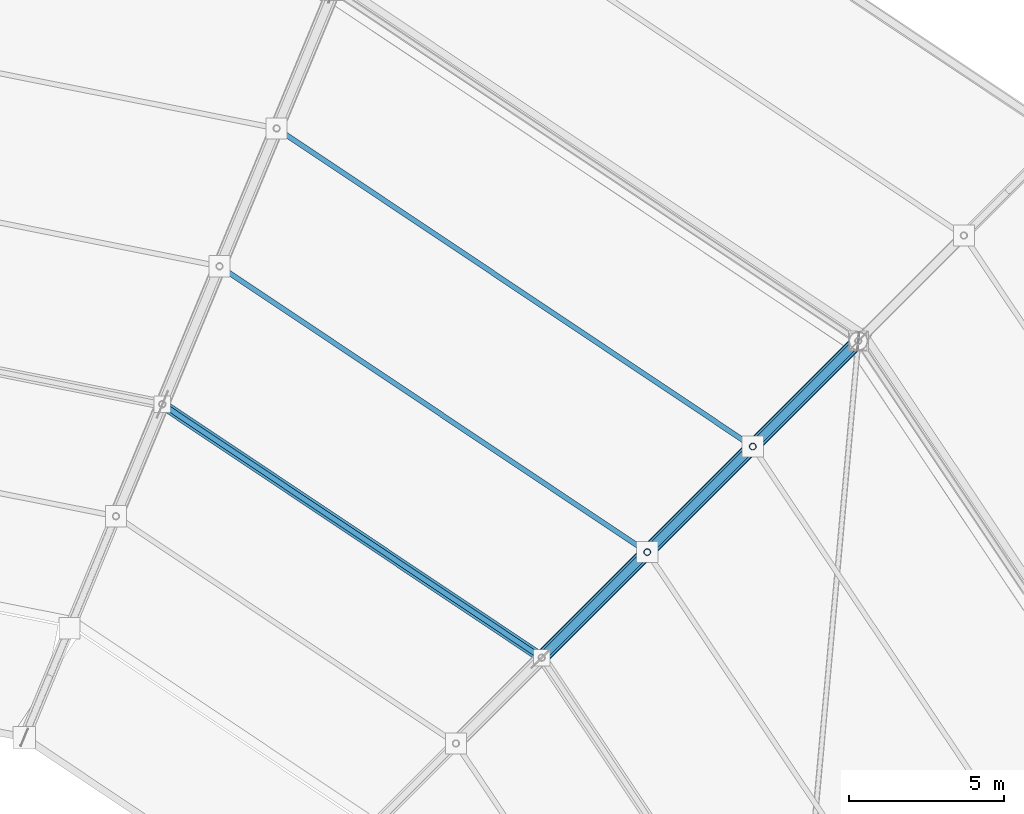
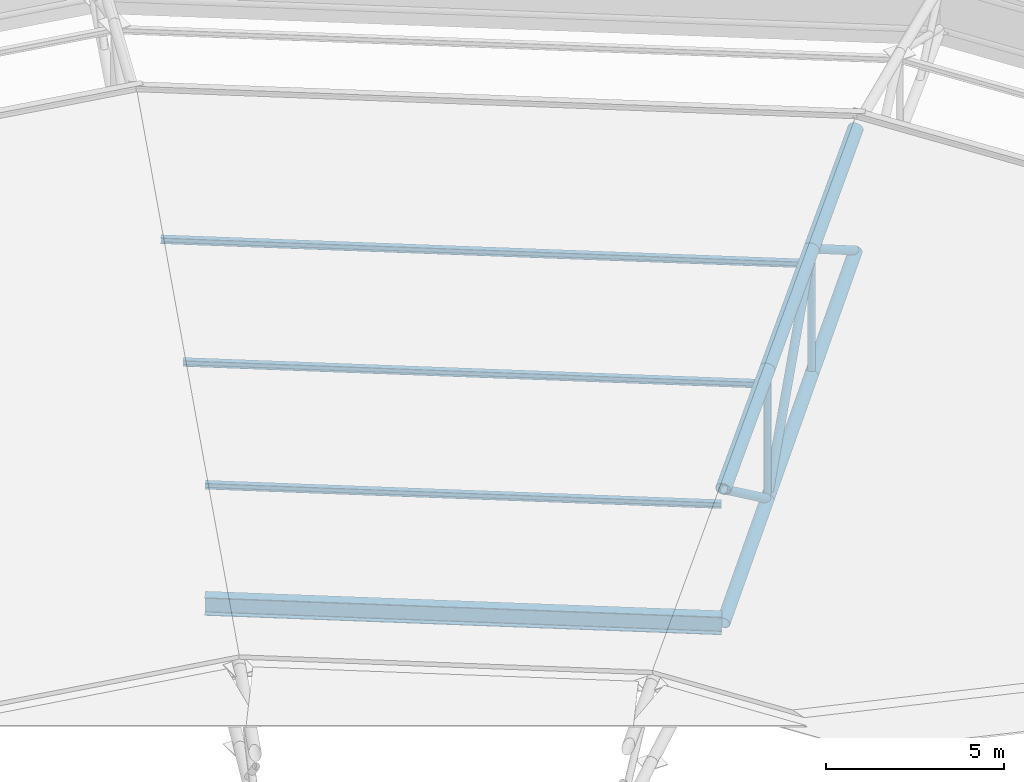
# One storey, part 83 of 146: 14 members, 1 beam.
"""IFC4 building model written with IfcOpenShell, lengths in metres."""

from ifc_helpers import new_model, si_unit, direction, frame, origin, origin_2d, place, context, subcontext, project, spatial, hollow_circle, i_section, extrude, material, material_profile, profile_set, type_object, element, save


model = new_model("IFC4")

# Units and contexts
model_context = context("Model", 3, precision=1e-05, world=origin(), true_north=direction((0.0, 1.0)))
body_context = subcontext(model_context, "Body", "Model", "MODEL_VIEW")
ifc_project = project(units=[si_unit("LENGTHUNIT", "METRE"), si_unit("AREAUNIT", "SQUARE_METRE"), si_unit("VOLUMEUNIT", "CUBIC_METRE"), si_unit("PLANEANGLEUNIT", "RADIAN"), si_unit("MASSUNIT", "GRAM", prefix="KILO")], contexts=[model_context])

# Site, building, storey
site_placement = place(None, origin())
site = spatial("IfcSite", under=ifc_project, at=site_placement, CompositionType="ELEMENT")
building_placement = place(site_placement, origin())
building = spatial("IfcBuilding", under=site, at=building_placement, Name="Candeia Ridge Stadium", CompositionType="ELEMENT")
storey_placement = place(building_placement, frame((0.0, 0.0, 31.800048828125)))
storey = spatial("IfcBuildingStorey", under=building, at=storey_placement, Name="RF", CompositionType="ELEMENT", Elevation=31.800048828125)

# Beam
ifc_material = material(Name="Steel ASTM A572 Grade 50", Category="steel")
ifc_material_profile_1 = material_profile(ifc_material, i_section(OverallWidth=0.324951171875, OverallDepth=0.615966796875, WebThickness=0.013916015625, FlangeThickness=0.021484375, FilletRadius=0.014892578125, at=origin_2d()), Name="W610x174", Category="steel")
ifc_profile_set_1 = profile_set([ifc_material_profile_1], Name="Steel ASTM A572 Grade 50")
beam_type = type_object("IfcBeamType", Name="Roof Compression Ring Beam W610x174", PredefinedType="BEAM", material=ifc_profile_set_1)
beam_placement = place(storey_placement, frame((167.553955078125, 121.609375, -2.6640625), z_axis=(-0.831470639349, 0.555568695933, 0.0), x_axis=(-0.555568695933, -0.831470639349, 0.0)))
element("IfcBeam", 1, at=beam_placement, inside=storey, type_object=beam_type, Name="Roof compression ring beam bay 35", PredefinedType="BEAM", context=body_context, shape_type="SweptSolid", body=[
    extrude(i_section(OverallWidth=0.324951171875, OverallDepth=0.615966796875, WebThickness=0.013916015625, FlangeThickness=0.021484375, FilletRadius=0.014892578125, at=origin_2d()), origin(), (0.0, 0.0, 1.0), 14.5908203125),
])

# Members
ifc_material_profile_2 = material_profile(ifc_material, i_section(OverallWidth=0.1650390625, OverallDepth=0.200927734375, WebThickness=0.006103515625, FlangeThickness=0.01025390625, FilletRadius=0.010009765625, at=origin_2d()), Name="W200x35.9", Category="steel")
ifc_profile_set_2 = profile_set([ifc_material_profile_2], Name="Steel ASTM A572 Grade 50")
member_type_1 = type_object("IfcMemberType", Name="Roof Purlin W200x35.9", PredefinedType="PURLIN", material=ifc_profile_set_2)
member_1_placement = place(storey_placement, frame((167.545654296875, 121.614990234375, 1.416015625), z_axis=(-0.831467264983, 0.555573746016, 0.0), x_axis=(-0.555573746016, -0.831467264983, 0.0)))
element("IfcMember", 2, at=member_1_placement, inside=storey, type_object=member_type_1, Name="Saddle roof steel purlin bay 35-2", PredefinedType="PURLIN", context=body_context, shape_type="SweptSolid", body=[
    extrude(i_section(OverallWidth=0.1650390625, OverallDepth=0.200927734375, WebThickness=0.006103515625, FlangeThickness=0.01025390625, FilletRadius=0.010009765625, at=origin_2d()), origin(), (0.0, 0.0, 1.0), 14.57080078125),
])
member_2_placement = place(storey_placement, frame((170.939697265625, 125.009033203125, 2.303955078125), z_axis=(-0.831465086253, 0.555577006671, 0.0), x_axis=(-0.555577006671, -0.831465086253, 0.0)))
element("IfcMember", 3, at=member_2_placement, inside=storey, type_object=member_type_1, Name="Saddle roof steel purlin bay 35-3", PredefinedType="PURLIN", context=body_context, shape_type="SweptSolid", body=[
    extrude(i_section(OverallWidth=0.1650390625, OverallDepth=0.200927734375, WebThickness=0.006103515625, FlangeThickness=0.01025390625, FilletRadius=0.010009765625, at=origin_2d()), origin(), (0.0, 0.0, 1.0), 16.443603515625),
])
member_3_placement = place(storey_placement, frame((174.333984375, 128.4033203125, 3.19189453125), z_axis=(-0.83147362437, 0.555564228489, 0.0), x_axis=(-0.555564228489, -0.83147362437, 0.0)))
element("IfcMember", 4, at=member_3_placement, inside=storey, type_object=member_type_1, Name="Saddle roof steel purlin bay 35-4", PredefinedType="PURLIN", context=body_context, shape_type="SweptSolid", body=[
    extrude(i_section(OverallWidth=0.1650390625, OverallDepth=0.200927734375, WebThickness=0.006103515625, FlangeThickness=0.01025390625, FilletRadius=0.010009765625, at=origin_2d()), origin(), (0.0, 0.0, 1.0), 18.316650390625),
])
ifc_material_profile_3 = material_profile(ifc_material, hollow_circle(Radius=0.136474609375, WallThickness=0.010009765625, at=origin_2d()), Name="CHS273x10", Category="steel")
ifc_profile_set_3 = profile_set([ifc_material_profile_3], Name="Steel ASTM A572 Grade 50")
member_type_2 = type_object("IfcMemberType", Name="Roof Truss Heavy Web Brace CHS273x10", PredefinedType="BRACE", material=ifc_profile_set_3)
member_4_placement = place(storey_placement, frame((167.587158203125, 121.587158203125, 1.93603515625), z_axis=(0.566892118006, 0.566892118006, -0.597717870809), x_axis=(-0.707106781187, 0.707106781187, 0.0)))
element("IfcMember", 5, at=member_4_placement, inside=storey, type_object=member_type_2, Name="Roof cantilever truss RT-35 diagonal web 4", PredefinedType="BRACE", context=body_context, shape_type="SweptSolid", body=[
    extrude(hollow_circle(Radius=0.136474609375, WallThickness=0.010009765625, at=origin_2d()), origin(), (0.0, 0.0, 1.0), 5.987548828125),
])
member_5_placement = place(storey_placement, frame((170.9814453125, 124.9814453125, -1.642822265625), z_axis=(0.471976735173, 0.471976735173, 0.744631400701), x_axis=(-0.707106781187, 0.707106781187, 0.0)))
element("IfcMember", 6, at=member_5_placement, inside=storey, type_object=member_type_2, Name="Roof cantilever truss RT-35 diagonal web 5", PredefinedType="BRACE", context=body_context, shape_type="SweptSolid", body=[
    extrude(hollow_circle(Radius=0.136474609375, WallThickness=0.010009765625, at=origin_2d()), origin(), (0.0, 0.0, 1.0), 7.191162109375),
])
member_6_placement = place(storey_placement, frame((174.37548828125, 128.37548828125, 3.7119140625), z_axis=(0.582001018536, 0.582001018536, -0.567934528662), x_axis=(-0.707106781187, 0.707106781187, 0.0)))
element("IfcMember", 7, at=member_6_placement, inside=storey, type_object=member_type_2, Name="Roof cantilever truss RT-35 diagonal web 6", PredefinedType="BRACE", context=body_context, shape_type="SweptSolid", body=[
    extrude(hollow_circle(Radius=0.136474609375, WallThickness=0.010009765625, at=origin_2d()), origin(), (0.0, 0.0, 1.0), 5.831787109375),
])
ifc_material_profile_4 = material_profile(ifc_material, hollow_circle(Radius=0.109619140625, WallThickness=0.010009765625, at=origin_2d()), Name="CHS219x10", Category="steel")
ifc_profile_set_4 = profile_set([ifc_material_profile_4], Name="Steel ASTM A572 Grade 50")
member_type_3 = type_object("IfcMemberType", Name="Roof Truss Inner Web Brace CHS219x10", PredefinedType="BRACE", material=ifc_profile_set_4)
member_7_placement = place(storey_placement, frame((170.9814453125, 124.9814453125, -1.642822265625), z_axis=(0.0, 0.0, 1.0), x_axis=(1.0, 0.0, 0.0)))
element("IfcMember", 8, at=member_7_placement, inside=storey, type_object=member_type_3, Name="Roof cantilever truss RT-35 vertical post 4", PredefinedType="BRACE", context=body_context, shape_type="SweptSolid", body=[
    extrude(hollow_circle(Radius=0.109619140625, WallThickness=0.010009765625, at=origin_2d()), origin(), (0.0, 0.0, 1.0), 4.466796875),
])
member_8_placement = place(storey_placement, frame((174.37548828125, 128.37548828125, -0.621337890625), z_axis=(0.0, 0.0, 1.0), x_axis=(1.0, 0.0, 0.0)))
element("IfcMember", 9, at=member_8_placement, inside=storey, type_object=member_type_3, Name="Roof cantilever truss RT-35 vertical post 5", PredefinedType="BRACE", context=body_context, shape_type="SweptSolid", body=[
    extrude(hollow_circle(Radius=0.109619140625, WallThickness=0.010009765625, at=origin_2d()), origin(), (0.0, 0.0, 1.0), 4.333251953125),
])
ifc_material_profile_5 = material_profile(ifc_material, hollow_circle(Radius=0.228515625, WallThickness=0.02001953125, at=origin_2d()), Name="CHS457x20", Category="steel")
ifc_profile_set_5 = profile_set([ifc_material_profile_5], Name="Steel ASTM A572 Grade 50")
member_type_4 = type_object("IfcMemberType", Name="Roof Truss Main Chord CHS457x20", PredefinedType="CHORD", material=ifc_profile_set_5)
member_9_placement = place(storey_placement, frame((167.587158203125, 121.587158203125, 1.93603515625), z_axis=(0.695311168341, 0.695311168341, 0.18189216135), x_axis=(-0.707106781187, 0.707106781187, 0.0)))
element("IfcMember", 10, at=member_9_placement, inside=storey, type_object=member_type_4, Name="Roof cantilever truss RT-35 top chord 4", PredefinedType="CHORD", context=body_context, shape_type="SweptSolid", body=[
    extrude(hollow_circle(Radius=0.228515625, WallThickness=0.02001953125, at=origin_2d()), origin(), (0.0, 0.0, 1.0), 4.881591796875),
])
for number, where, z_axis, x_axis, name in (
    (11, (170.9814453125, 124.9814453125, 2.823974609375), (0.695309513547, 0.695309513547, 0.181904812313), (-0.707106781187, 0.707106781187, 0.0), "Roof cantilever truss RT-35 top chord 5"),
    (12, (174.37548828125, 128.37548828125, 3.7119140625), (0.695309513547, 0.695309513547, 0.181904812313), (-0.707106781187, 0.707106781187, 0.0), "Roof cantilever truss RT-35 top chord 6"),
):
    element("IfcMember", number, at=place(storey_placement, frame(where, z_axis=z_axis, x_axis=x_axis)), inside=storey, type_object=member_type_4, Name=name, PredefinedType="CHORD", context=body_context, shape_type="SweptSolid", body=[
        extrude(hollow_circle(Radius=0.228515625, WallThickness=0.02001953125, at=origin_2d()), origin(), (0.0, 0.0, 1.0), 4.88134765625),
    ])
ifc_material_profile_6 = material_profile(ifc_material, hollow_circle(Radius=0.202880859375, WallThickness=0.01611328125, at=origin_2d()), Name="CHS406x16", Category="steel")
ifc_profile_set_6 = profile_set([ifc_material_profile_6], Name="Steel ASTM A572 Grade 50")
member_type_5 = type_object("IfcMemberType", Name="Roof Truss Outer Chord CHS406x16", PredefinedType="CHORD", material=ifc_profile_set_6)
member_10_placement = place(storey_placement, frame((167.587158203125, 121.587158203125, -2.6640625), z_axis=(0.69162794184, 0.69162794184, 0.208090317249), x_axis=(-0.707106781187, 0.707106781187, 0.0)))
element("IfcMember", 13, at=member_10_placement, inside=storey, type_object=member_type_5, Name="Roof cantilever truss RT-35 bottom chord 4", PredefinedType="CHORD", context=body_context, shape_type="SweptSolid", body=[
    extrude(hollow_circle(Radius=0.202880859375, WallThickness=0.01611328125, at=origin_2d()), origin(), (0.0, 0.0, 1.0), 4.90771484375),
])
member_11_placement = place(storey_placement, frame((170.9814453125, 124.9814453125, -1.642822265625), z_axis=(0.691618626206, 0.691618626206, 0.2081522322), x_axis=(-0.707106781187, 0.707106781187, 0.0)))
element("IfcMember", 14, at=member_11_placement, inside=storey, type_object=member_type_5, Name="Roof cantilever truss RT-35 bottom chord 5", PredefinedType="CHORD", context=body_context, shape_type="SweptSolid", body=[
    extrude(hollow_circle(Radius=0.202880859375, WallThickness=0.01611328125, at=origin_2d()), origin(), (0.0, 0.0, 1.0), 4.907470703125),
])
member_12_placement = place(storey_placement, frame((174.37548828125, 128.37548828125, -0.621337890625), z_axis=(0.691625787508, 0.691625787508, 0.208104637401), x_axis=(-0.707106781187, 0.707106781187, 0.0)))
element("IfcMember", 15, at=member_12_placement, inside=storey, type_object=member_type_5, Name="Roof cantilever truss RT-35 bottom chord 6", PredefinedType="CHORD", context=body_context, shape_type="SweptSolid", body=[
    extrude(hollow_circle(Radius=0.202880859375, WallThickness=0.01611328125, at=origin_2d()), origin(), (0.0, 0.0, 1.0), 4.9072265625),
])

save(model, "model.ifc")
